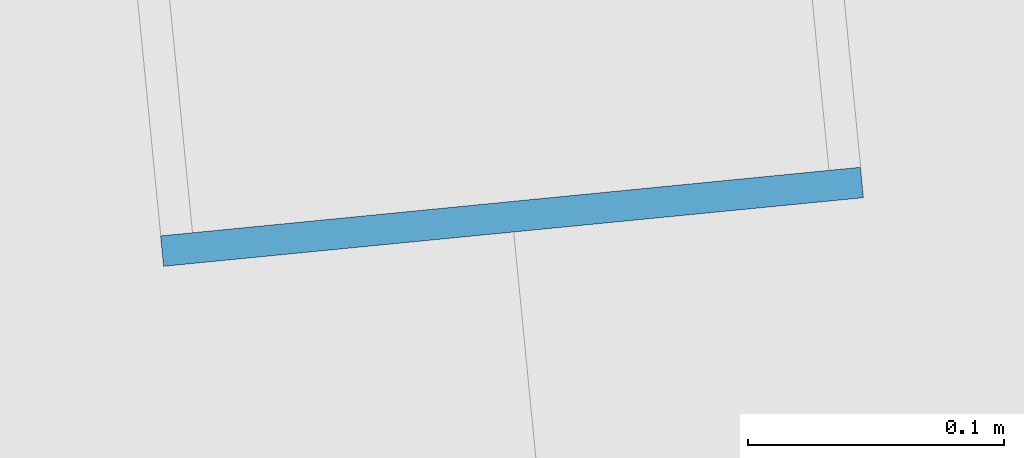
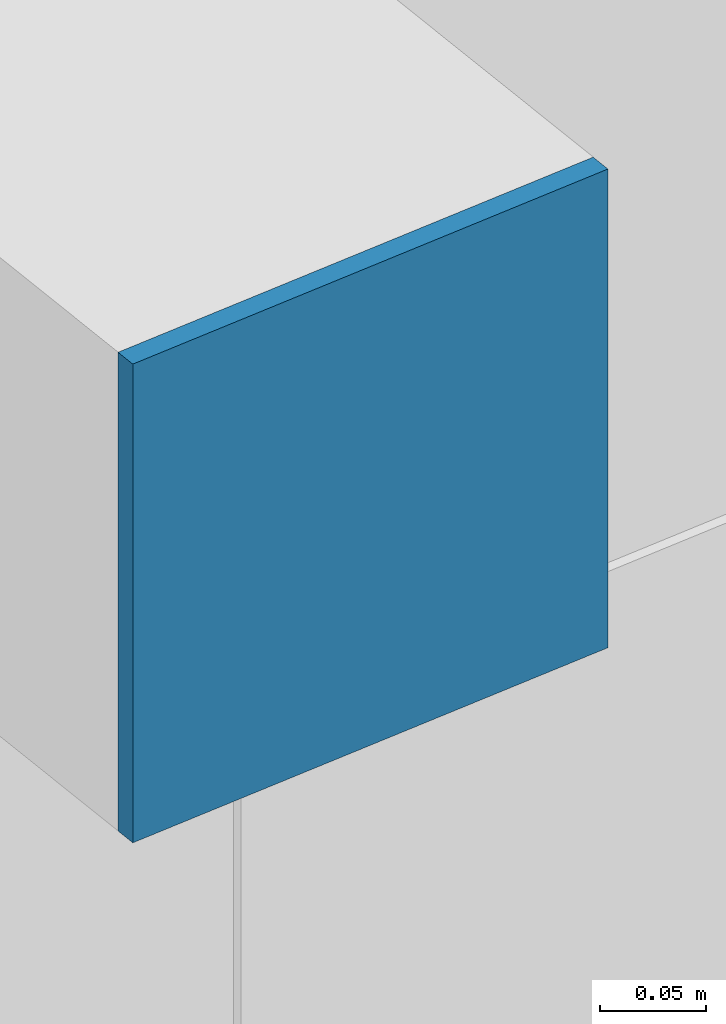
# One storey, part 34 of 47: 1 plate.
"""IFC4 building model written with IfcOpenShell, lengths in metres."""

from ifc_helpers import new_model, si_unit, direction, frame, origin, origin_2d, place, context, subcontext, project, spatial, rectangle, extrude, source, transform, mapped, material, layer, layer_set, type_object, element, save


model = new_model("IFC4")

# Units and contexts
model_context = context("Model", 3, precision=1e-05, world=origin(), true_north=direction((0.0, 1.0)))
body_context = subcontext(model_context, "Body", "Model", "MODEL_VIEW")
ifc_project = project(units=[si_unit("LENGTHUNIT", "METRE"), si_unit("AREAUNIT", "SQUARE_METRE"), si_unit("VOLUMEUNIT", "CUBIC_METRE"), si_unit("PLANEANGLEUNIT", "RADIAN"), si_unit("MASSUNIT", "GRAM", prefix="KILO")], contexts=[model_context])

# Site, building, storey
site_placement = place(None, origin())
site = spatial("IfcSite", under=ifc_project, at=site_placement, CompositionType="ELEMENT")
building_placement = place(site_placement, origin())
building = spatial("IfcBuilding", under=site, at=building_placement, Name="Taldren Reach Tower", CompositionType="ELEMENT")
storey_placement = place(building_placement, frame((0.0, 0.0, 106.050048828125)))
storey = spatial("IfcBuildingStorey", under=building, at=storey_placement, Name="L32", CompositionType="ELEMENT", Elevation=106.050048828125)

# Plate
ifc_material = material(Name="Steel Gr 450 (C450L0)", Category="steel")
ifc_layer = layer(ifc_material, 0.011962890625)
ifc_layer_set = layer_set([ifc_layer], Name="Steel Gr 450 (C450L0)")
plate_type = type_object("IfcPlateType", Name="PL-CAP-275", PredefinedType="SHEET", material=ifc_layer_set)
shared_shape = source(origin(), body_context, "Body", "SweptSolid", [
    extrude(rectangle(XDim=0.27490234375, YDim=0.011962890625, at=origin_2d()), origin(), (0.0, 0.0, 1.0), 0.27490234375),
])
plate_placement = place(storey_placement, frame((34.353515625, 0.2607421875, 2.512451171875), z_axis=(0.0, 0.0, 1.0), x_axis=(0.995227399982, 0.097582899759, 0.0)))
element("IfcPlate", 1, at=plate_placement, inside=storey, type_object=plate_type, Name="Tie strut end cap plate B2-S3 L32", PredefinedType="SHEET", context=body_context, shape_type="MappedRepresentation", body=[
    mapped(shared_shape, transform((0.0, 0.0, 0.0), scale=1.0)),
])

save(model, "model.ifc")
